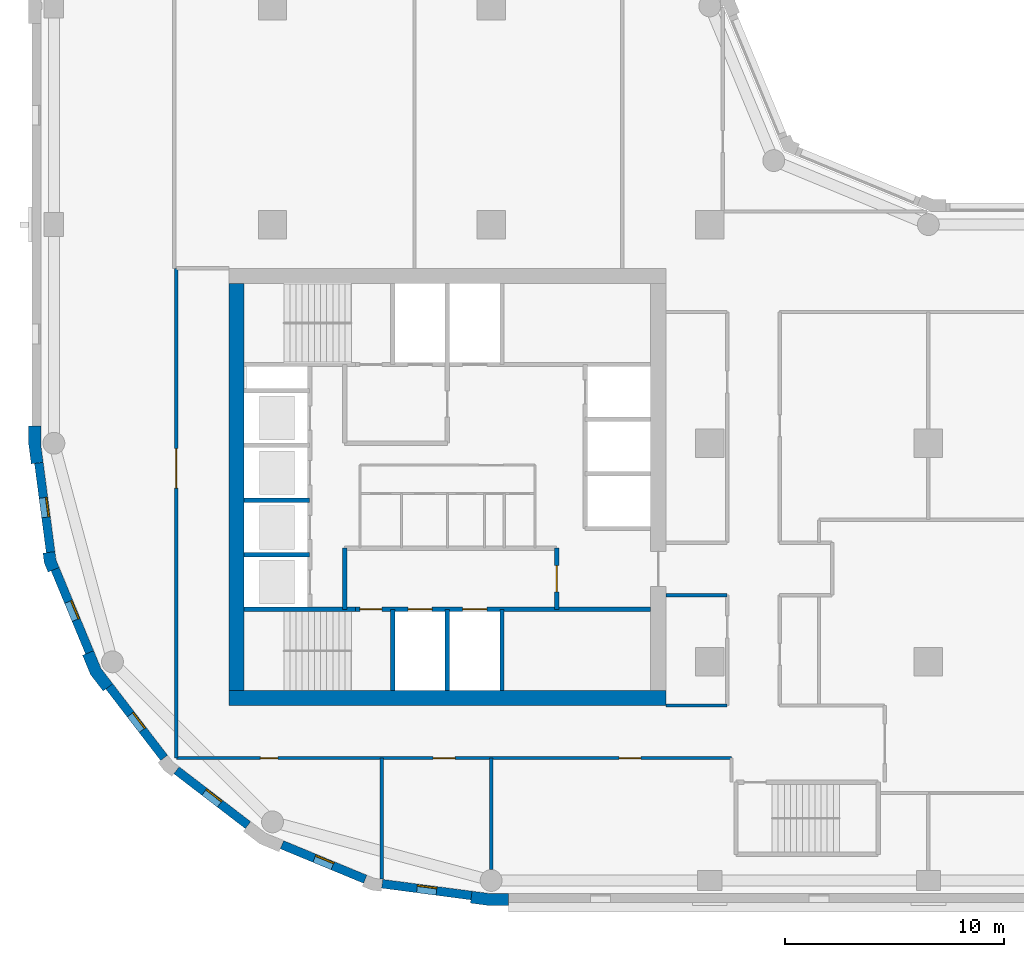
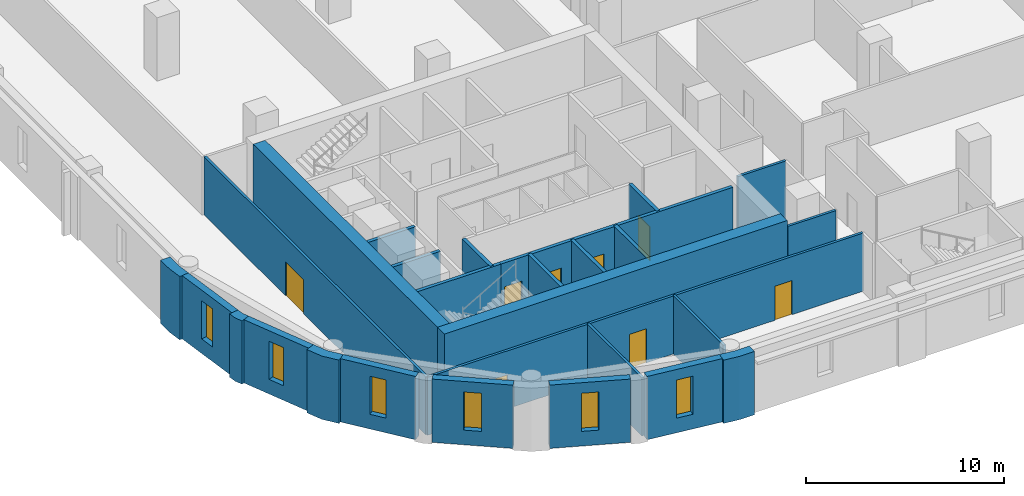
# One storey, part 2 of 9: 27 walls, 8 doors, 6 windows, 14 openings.
"""IFC4 building model written with IfcOpenShell, lengths in metres."""

from ifc_helpers import new_model, si_unit, direction, frame, frame_2d, origin, place, context, subcontext, project, spatial, polyline, rectangle, outline, extrude, material, layer, layer_set, type_object, element, fill, save


model = new_model("IFC4")

# Units and contexts
model_context = context("Model", 3, precision=1e-05, world=origin(), true_north=direction((0.0, 1.0)))
body_context = subcontext(model_context, "Body", "Model", "MODEL_VIEW")
ifc_project = project(units=[si_unit("LENGTHUNIT", "METRE"), si_unit("AREAUNIT", "SQUARE_METRE"), si_unit("VOLUMEUNIT", "CUBIC_METRE"), si_unit("PLANEANGLEUNIT", "RADIAN"), si_unit("MASSUNIT", "GRAM", prefix="KILO")], contexts=[model_context])

# Site, building, storey
site_placement = place(None, origin())
site = spatial("IfcSite", under=ifc_project, at=site_placement, CompositionType="ELEMENT")
building_placement = place(site_placement, origin())
building = spatial("IfcBuilding", under=site, at=building_placement, Name="Qaws Garden Tower", CompositionType="ELEMENT")
storey_placement = place(building_placement, frame((0.0, 0.0, 147.300048828125)))
storey = spatial("IfcBuildingStorey", under=building, at=storey_placement, Name="L35", CompositionType="ELEMENT", Elevation=147.300048828125)

# Wall, opening, window
ifc_material_1 = material(Name="Clay facing brick masonry", Category="masonry")
ifc_layer_1 = layer(ifc_material_1, 0.39990234375)
ifc_layer_set_1 = layer_set([ifc_layer_1], Name="Clay facing brick masonry")
wall_type_1 = type_object("IfcWallType", Name="Brick infill wall 400", PredefinedType="SOLIDWALL", material=ifc_layer_set_1)
wall_1_placement = place(storey_placement, frame((-0.688720703125, 19.102294921875, 0.0), z_axis=(0.0, 0.0, 1.0), x_axis=(0.130514280502, -0.991446429508, 0.0)))
wall_1 = element("IfcWall", 1, at=wall_1_placement, inside=storey, type_object=wall_type_1, Name="E-L35-infill-25", PredefinedType="SOLIDWALL", context=body_context, shape_type="SweptSolid", body=[
    extrude(rectangle(XDim=4.120849609375, YDim=0.39990234375, at=frame_2d((2.060546875, 0.0))), origin(), (0.0, 0.0, 1.0), 3.89990234375),
])
opening_1_placement = place(wall_1_placement, frame((1.610595703125, 0.0, 0.89990234375)))
opening_1 = element("IfcOpeningElement", 2, at=opening_1_placement, cuts=wall_1, Name="Opening W09", PredefinedType="OPENING", context=body_context, shape_type="SweptSolid", body=[
    extrude(rectangle(XDim=0.89990234375, YDim=2.35009765625, at=frame_2d((0.449951171875, 1.175048828125))), frame((0.0, 0.2099609375, 0.0), z_axis=(0.0, -1.0, 0.0), x_axis=(1.0, 0.0, 0.0)), (0.0, 0.0, 1.0), 0.419921875),
])
ifc_material_2 = material(Name="Aluminium framed window, clear glazing", Category="aluminium")
window_type = type_object("IfcWindowType", Name="Slit window 900 x 2350", PartitioningType="SINGLE_PANEL", PredefinedType="WINDOW", material=ifc_material_2)
window_1_placement = place(opening_1_placement, origin())
window_1 = element("IfcWindow", 3, at=window_1_placement, inside=storey, type_object=window_type, Name="E-L35-window-25-0", OverallHeight=2.35009765625, OverallWidth=0.89990234375, PartitioningType="SINGLE_PANEL", PredefinedType="WINDOW", context=body_context, shape_type="SweptSolid", body=[
    extrude(rectangle(XDim=0.89990234375, YDim=2.35009765625, at=frame_2d((0.449951171875, 1.175048828125))), frame((0.0, 0.159912109375, 0.0), z_axis=(0.0, -1.0, 0.0), x_axis=(1.0, 0.0, 0.0)), (0.0, 0.0, 1.0), 0.06005859375),
])
fill(opening_1, window_1)

wall_2_placement = place(storey_placement, frame((0.05712890625, 14.240234375, 0.0), z_axis=(0.0, 0.0, 1.0), x_axis=(0.382721546029, -0.923863744394, 0.0)))
wall_2 = element("IfcWall", 4, at=wall_2_placement, inside=storey, type_object=wall_type_1, Name="E-L35-infill-26", PredefinedType="SOLIDWALL", context=body_context, shape_type="SweptSolid", body=[
    extrude(rectangle(XDim=4.120849609375, YDim=0.39990234375, at=frame_2d((2.060546875, 0.0))), origin(), (0.0, 0.0, 1.0), 3.89990234375),
])
opening_2_placement = place(wall_2_placement, frame((1.610595703125, 0.0, 0.89990234375)))
opening_2 = element("IfcOpeningElement", 5, at=opening_2_placement, cuts=wall_2, Name="Opening W09", PredefinedType="OPENING", context=body_context, shape_type="SweptSolid", body=[
    extrude(rectangle(XDim=0.89990234375, YDim=2.35009765625, at=frame_2d((0.449951171875, 1.175048828125))), frame((0.0, 0.2099609375, 0.0), z_axis=(0.0, -1.0, 0.0), x_axis=(1.0, 0.0, 0.0)), (0.0, 0.0, 1.0), 0.419921875),
])
window_2_placement = place(opening_2_placement, origin())
window_2 = element("IfcWindow", 6, at=window_2_placement, inside=storey, type_object=window_type, Name="E-L35-window-26-0", OverallHeight=2.35009765625, OverallWidth=0.89990234375, PartitioningType="SINGLE_PANEL", PredefinedType="WINDOW", context=body_context, shape_type="SweptSolid", body=[
    extrude(rectangle(XDim=0.89990234375, YDim=2.35009765625, at=frame_2d((0.449951171875, 1.175048828125))), frame((0.0, 0.159912109375, 0.0), z_axis=(0.0, -1.0, 0.0), x_axis=(1.0, 0.0, 0.0)), (0.0, 0.0, 1.0), 0.06005859375),
])
fill(opening_2, window_2)

wall_3_placement = place(storey_placement, frame((2.53173828125, 8.87841796875, 0.0), z_axis=(0.0, 0.0, 1.0), x_axis=(0.608759824817, -0.793354571229, 0.0)))
wall_3 = element("IfcWall", 7, at=wall_3_placement, inside=storey, type_object=wall_type_1, Name="E-L35-infill-27", PredefinedType="SOLIDWALL", context=body_context, shape_type="SweptSolid", body=[
    extrude(rectangle(XDim=4.12109375, YDim=0.39990234375, at=frame_2d((2.060546875, 0.0))), origin(), (0.0, 0.0, 1.0), 3.89990234375),
])
opening_3_placement = place(wall_3_placement, frame((1.610595703125, 0.0, 0.89990234375)))
opening_3 = element("IfcOpeningElement", 8, at=opening_3_placement, cuts=wall_3, Name="Opening W09", PredefinedType="OPENING", context=body_context, shape_type="SweptSolid", body=[
    extrude(rectangle(XDim=0.89990234375, YDim=2.35009765625, at=frame_2d((0.449951171875, 1.175048828125))), frame((0.0, 0.2099609375, 0.0), z_axis=(0.0, -1.0, 0.0), x_axis=(1.0, 0.0, 0.0)), (0.0, 0.0, 1.0), 0.419921875),
])
window_3_placement = place(opening_3_placement, origin())
window_3 = element("IfcWindow", 9, at=window_3_placement, inside=storey, type_object=window_type, Name="E-L35-window-27-0", OverallHeight=2.35009765625, OverallWidth=0.89990234375, PartitioningType="SINGLE_PANEL", PredefinedType="WINDOW", context=body_context, shape_type="SweptSolid", body=[
    extrude(rectangle(XDim=0.89990234375, YDim=2.35009765625, at=frame_2d((0.449951171875, 1.175048828125))), frame((0.0, 0.159912109375, 0.0), z_axis=(0.0, -1.0, 0.0), x_axis=(1.0, 0.0, 0.0)), (0.0, 0.0, 1.0), 0.06005859375),
])
fill(opening_3, window_3)

wall_4_placement = place(storey_placement, frame((5.60888671875, 5.04052734375, 0.0), z_axis=(0.0, 0.0, 1.0), x_axis=(0.793354571229, -0.608759824817, 0.0)))
wall_4 = element("IfcWall", 10, at=wall_4_placement, inside=storey, type_object=wall_type_1, Name="E-L35-infill-28", PredefinedType="SOLIDWALL", context=body_context, shape_type="SweptSolid", body=[
    extrude(rectangle(XDim=4.12109375, YDim=0.39990234375, at=frame_2d((2.060546875, 0.0))), origin(), (0.0, 0.0, 1.0), 3.89990234375),
])
opening_4_placement = place(wall_4_placement, frame((1.610595703125, 0.0, 0.89990234375)))
opening_4 = element("IfcOpeningElement", 11, at=opening_4_placement, cuts=wall_4, Name="Opening W09", PredefinedType="OPENING", context=body_context, shape_type="SweptSolid", body=[
    extrude(rectangle(XDim=0.89990234375, YDim=2.35009765625, at=frame_2d((0.449951171875, 1.175048828125))), frame((0.0, 0.2099609375, 0.0), z_axis=(0.0, -1.0, 0.0), x_axis=(1.0, 0.0, 0.0)), (0.0, 0.0, 1.0), 0.419921875),
])
window_4_placement = place(opening_4_placement, origin())
window_4 = element("IfcWindow", 12, at=window_4_placement, inside=storey, type_object=window_type, Name="E-L35-window-28-0", OverallHeight=2.35009765625, OverallWidth=0.89990234375, PartitioningType="SINGLE_PANEL", PredefinedType="WINDOW", context=body_context, shape_type="SweptSolid", body=[
    extrude(rectangle(XDim=0.89990234375, YDim=2.35009765625, at=frame_2d((0.449951171875, 1.175048828125))), frame((0.0, 0.159912109375, 0.0), z_axis=(0.0, -1.0, 0.0), x_axis=(1.0, 0.0, 0.0)), (0.0, 0.0, 1.0), 0.06005859375),
])
fill(opening_4, window_4)

wall_5_placement = place(storey_placement, frame((10.43310546875, 1.63427734375, 0.0), z_axis=(0.0, 0.0, 1.0), x_axis=(0.923863744394, -0.382721546029, 0.0)))
wall_5 = element("IfcWall", 13, at=wall_5_placement, inside=storey, type_object=wall_type_1, Name="E-L35-infill-29", PredefinedType="SOLIDWALL", context=body_context, shape_type="SweptSolid", body=[
    extrude(rectangle(XDim=4.120849609375, YDim=0.39990234375, at=frame_2d((2.060546875, 0.0))), origin(), (0.0, 0.0, 1.0), 3.89990234375),
])
opening_5_placement = place(wall_5_placement, frame((1.610595703125, 0.0, 0.89990234375)))
opening_5 = element("IfcOpeningElement", 14, at=opening_5_placement, cuts=wall_5, Name="Opening W09", PredefinedType="OPENING", context=body_context, shape_type="SweptSolid", body=[
    extrude(rectangle(XDim=0.89990234375, YDim=2.35009765625, at=frame_2d((0.449951171875, 1.175048828125))), frame((0.0, 0.2099609375, 0.0), z_axis=(0.0, -1.0, 0.0), x_axis=(1.0, 0.0, 0.0)), (0.0, 0.0, 1.0), 0.419921875),
])
window_5_placement = place(opening_5_placement, origin())
window_5 = element("IfcWindow", 15, at=window_5_placement, inside=storey, type_object=window_type, Name="E-L35-window-29-0", OverallHeight=2.35009765625, OverallWidth=0.89990234375, PartitioningType="SINGLE_PANEL", PredefinedType="WINDOW", context=body_context, shape_type="SweptSolid", body=[
    extrude(rectangle(XDim=0.89990234375, YDim=2.35009765625, at=frame_2d((0.449951171875, 1.175048828125))), frame((0.0, 0.159912109375, 0.0), z_axis=(0.0, -1.0, 0.0), x_axis=(1.0, 0.0, 0.0)), (0.0, 0.0, 1.0), 0.06005859375),
])
fill(opening_5, window_5)

wall_6_placement = place(storey_placement, frame((15.0166015625, -0.15087890625, 0.0), z_axis=(0.0, 0.0, 1.0), x_axis=(0.991446429508, -0.130514280502, 0.0)))
wall_6 = element("IfcWall", 16, at=wall_6_placement, inside=storey, type_object=wall_type_1, Name="E-L35-infill-30", PredefinedType="SOLIDWALL", context=body_context, shape_type="SweptSolid", body=[
    extrude(rectangle(XDim=4.120849609375, YDim=0.39990234375, at=frame_2d((2.060546875, 0.0))), origin(), (0.0, 0.0, 1.0), 3.89990234375),
])
opening_6_placement = place(wall_6_placement, frame((1.610595703125, 0.0, 0.89990234375)))
opening_6 = element("IfcOpeningElement", 17, at=opening_6_placement, cuts=wall_6, Name="Opening W09", PredefinedType="OPENING", context=body_context, shape_type="SweptSolid", body=[
    extrude(rectangle(XDim=0.89990234375, YDim=2.35009765625, at=frame_2d((0.449951171875, 1.175048828125))), frame((0.0, 0.2099609375, 0.0), z_axis=(0.0, -1.0, 0.0), x_axis=(1.0, 0.0, 0.0)), (0.0, 0.0, 1.0), 0.419921875),
])
window_6_placement = place(opening_6_placement, origin())
window_6 = element("IfcWindow", 18, at=window_6_placement, inside=storey, type_object=window_type, Name="E-L35-window-30-0", OverallHeight=2.35009765625, OverallWidth=0.89990234375, PartitioningType="SINGLE_PANEL", PredefinedType="WINDOW", context=body_context, shape_type="SweptSolid", body=[
    extrude(rectangle(XDim=0.89990234375, YDim=2.35009765625, at=frame_2d((0.449951171875, 1.175048828125))), frame((0.0, 0.159912109375, 0.0), z_axis=(0.0, -1.0, 0.0), x_axis=(1.0, 0.0, 0.0)), (0.0, 0.0, 1.0), 0.06005859375),
])
fill(opening_6, window_6)

# Walls
ifc_material_3 = material(Name="Clay facing brick masonry", Category="masonry")
ifc_layer_2 = layer(ifc_material_3, 0.550048828125)
ifc_layer_set_2 = layer_set([ifc_layer_2], Name="Clay facing brick masonry")
wall_type_2 = type_object("IfcWallType", Name="Brick kink pier 550 x 600", PredefinedType="SOLIDWALL", material=ifc_layer_set_2)
placement = place(storey_placement, origin())
element("IfcWall", 19, at=placement, inside=storey, type_object=wall_type_2, Name="E-L35-pier-26", PredefinedType="SOLIDWALL", context=body_context, shape_type="SweptSolid", body=[
    extrude(outline(polyline([(-0.34912109375, 14.990478515625), (-0.497802734375, 14.970947265625), (-0.43896484375, 14.5234375), (-0.26611328125, 14.1064453125), (-0.127685546875, 14.163818359375), (0.241943359375, 14.31689453125), (0.096923828125, 14.6669921875), (0.04736328125, 15.042724609375), (-0.34912109375, 14.990478515625)])), origin(), (0.0, 0.0, 1.0), 3.89990234375),
])
ifc_material_4 = material(Name="Clay facing brick masonry", Category="masonry")
ifc_layer_3 = layer(ifc_material_4, 0.550048828125)
ifc_layer_set_3 = layer_set([ifc_layer_3], Name="Clay facing brick masonry")
wall_type_3 = type_object("IfcWallType", Name="Brick pier 550 x 1600", PredefinedType="SOLIDWALL", material=ifc_layer_set_3)
element("IfcWall", 20, at=placement, inside=storey, type_object=wall_type_3, Name="E-L35-pier-00", PredefinedType="SOLIDWALL", context=body_context, shape_type="SweptSolid", body=[
    extrude(outline(polyline([(19.076416015625, -0.886962890625), (19.056640625, -1.03564453125), (19.924560546875, -1.14990234375), (20.800048828125, -1.14990234375), (20.800048828125, -1.0), (20.800048828125, -0.60009765625), (19.960693359375, -0.60009765625), (19.12841796875, -0.490478515625), (19.076416015625, -0.886962890625)])), origin(), (0.0, 0.0, 1.0), 3.89990234375),
])
element("IfcWall", 21, at=placement, inside=storey, type_object=wall_type_3, Name="E-L35-pier-25", PredefinedType="SOLIDWALL", context=body_context, shape_type="SweptSolid", body=[
    extrude(outline(polyline([(-1.0, 20.800048828125), (-1.14990234375, 20.800048828125), (-1.14990234375, 19.924560546875), (-1.03564453125, 19.056640625), (-0.886962890625, 19.076416015625), (-0.490478515625, 19.12841796875), (-0.60009765625, 19.960693359375), (-0.60009765625, 20.800048828125), (-1.0, 20.800048828125)])), origin(), (0.0, 0.0, 1.0), 3.89990234375),
])
element("IfcWall", 22, at=placement, inside=storey, type_object=wall_type_3, Name="E-L35-pier-27", PredefinedType="SOLIDWALL", context=body_context, shape_type="SweptSolid", body=[
    extrude(outline(polyline([(1.449462890625, 10.3564453125), (1.310791015625, 10.299072265625), (1.675048828125, 9.419921875), (2.254150390625, 8.665283203125), (2.373046875, 8.756591796875), (2.6904296875, 9.0), (2.1552734375, 9.697509765625), (1.819091796875, 10.509521484375), (1.449462890625, 10.3564453125)])), origin(), (0.0, 0.0, 1.0), 3.89990234375),
])
ifc_material_5 = material(Name="Concrete C70", Category="concrete")
ifc_layer_4 = layer(ifc_material_5, 0.199951171875)
ifc_layer_set_4 = layer_set([ifc_layer_4], Name="Concrete C70")
wall_type_4 = type_object("IfcWallType", Name="Core shaft wall 200 C70", PredefinedType="SHEAR", material=ifc_layer_set_4)
wall_11_placement = place(storey_placement, frame((8.699951171875, 12.39990234375, 0.0), z_axis=(0.0, 0.0, 1.0), x_axis=(1.0, 0.0, 0.0)))
element("IfcWall", 23, at=wall_11_placement, inside=storey, type_object=wall_type_4, Name="Shaft wall", PredefinedType="SHEAR", context=body_context, shape_type="SweptSolid", body=[
    extrude(rectangle(XDim=5.10009765625, YDim=0.199951171875, at=frame_2d((2.550048828125, 0.0))), origin(), (0.0, 0.0, 1.0), 3.579833984375),
])

# Wall, openings, doors
wall_12_placement = place(storey_placement, frame((13.800048828125, 12.39990234375, 0.0), z_axis=(0.0, 0.0, 1.0), x_axis=(1.0, 0.0, 0.0)))
wall_12 = element("IfcWall", 24, at=wall_12_placement, inside=storey, type_object=wall_type_4, Name="Shaft wall", PredefinedType="SHEAR", context=body_context, shape_type="SweptSolid", body=[
    extrude(rectangle(XDim=13.5, YDim=0.199951171875, at=frame_2d((6.75, 0.0))), origin(), (0.0, 0.0, 1.0), 3.579833984375),
])
opening_7_placement = place(wall_12_placement, frame((2.39990234375, 0.0, 0.0)))
opening_7 = element("IfcOpeningElement", 25, at=opening_7_placement, cuts=wall_12, Name="Opening LD06", PredefinedType="OPENING", context=body_context, shape_type="SweptSolid", body=[
    extrude(rectangle(XDim=1.10009765625, YDim=2.10009765625, at=frame_2d((0.550048828125, 1.050048828125))), frame((0.0, 0.10986328125, 0.0), z_axis=(0.0, -1.0, 0.0), x_axis=(1.0, 0.0, 0.0)), (0.0, 0.0, 1.0), 0.219970703125),
])
opening_8_placement = place(wall_12_placement, frame((4.89990234375, 0.0, 0.0)))
opening_8 = element("IfcOpeningElement", 26, at=opening_8_placement, cuts=wall_12, Name="Opening LD07", PredefinedType="OPENING", context=body_context, shape_type="SweptSolid", body=[
    extrude(rectangle(XDim=1.10009765625, YDim=2.10009765625, at=frame_2d((0.550048828125, 1.050048828125))), frame((0.0, 0.10986328125, 0.0), z_axis=(0.0, -1.0, 0.0), x_axis=(1.0, 0.0, 0.0)), (0.0, 0.0, 1.0), 0.219970703125),
])
opening_9_placement = place(wall_12_placement, frame((0.199951171875, 0.0, 0.0)))
opening_9 = element("IfcOpeningElement", 27, at=opening_9_placement, cuts=wall_12, Name="Opening SD10", PredefinedType="OPENING", context=body_context, shape_type="SweptSolid", body=[
    extrude(rectangle(XDim=1.0, YDim=2.10009765625, at=frame_2d((0.5, 1.050048828125))), frame((0.0, 0.10986328125, 0.0), z_axis=(0.0, -1.0, 0.0), x_axis=(1.0, 0.0, 0.0)), (0.0, 0.0, 1.0), 0.219970703125),
])
ifc_material_6 = material(Name="Steel S235", Category="steel")
door_type_1 = type_object("IfcDoorType", Name="Landing door 1100x2100", OperationType="DOUBLE_DOOR_SLIDING", PredefinedType="DOOR", material=ifc_material_6)
door_1_placement = place(opening_7_placement, origin())
door_1 = element("IfcDoor", 28, at=door_1_placement, inside=storey, type_object=door_type_1, Name="Lift FF1 landing door", OperationType="DOUBLE_DOOR_SLIDING", OverallHeight=2.10009765625, OverallWidth=1.10009765625, PredefinedType="DOOR", context=body_context, shape_type="SweptSolid", body=[
    extrude(rectangle(XDim=1.10009765625, YDim=2.10009765625, at=frame_2d((0.550048828125, 1.050048828125))), frame((0.0, 0.02490234375, 0.0), z_axis=(0.0, -1.0, 0.0), x_axis=(1.0, 0.0, 0.0)), (0.0, 0.0, 1.0), 0.050048828125),
])
fill(opening_7, door_1)
door_2_placement = place(opening_8_placement, origin())
door_2 = element("IfcDoor", 29, at=door_2_placement, inside=storey, type_object=door_type_1, Name="Lift FF2 landing door", OperationType="DOUBLE_DOOR_SLIDING", OverallHeight=2.10009765625, OverallWidth=1.10009765625, PredefinedType="DOOR", context=body_context, shape_type="SweptSolid", body=[
    extrude(rectangle(XDim=1.10009765625, YDim=2.10009765625, at=frame_2d((0.550048828125, 1.050048828125))), frame((0.0, 0.02490234375, 0.0), z_axis=(0.0, -1.0, 0.0), x_axis=(1.0, 0.0, 0.0)), (0.0, 0.0, 1.0), 0.050048828125),
])
fill(opening_8, door_2)
ifc_material_7 = material(Name="Steel S235", Category="steel")
door_type_2 = type_object("IfcDoorType", Name="Stair door 1000x2100", OperationType="SINGLE_SWING_RIGHT", PredefinedType="DOOR", material=ifc_material_7)
door_3_placement = place(opening_9_placement, frame((1.0, 0.0, 0.0), z_axis=(0.0, 0.0, 1.0), x_axis=(-1.0, 0.0, 0.0)))
door_3 = element("IfcDoor", 30, at=door_3_placement, inside=storey, type_object=door_type_2, Name="Stair 1 door", OperationType="SINGLE_SWING_LEFT", OverallHeight=2.10009765625, OverallWidth=1.0, PredefinedType="DOOR", context=body_context, shape_type="SweptSolid", body=[
    extrude(rectangle(XDim=1.0, YDim=2.10009765625, at=frame_2d((0.5, 1.050048828125))), frame((0.0, 0.02490234375, 0.0), z_axis=(0.0, -1.0, 0.0), x_axis=(1.0, 0.0, 0.0)), (0.0, 0.0, 1.0), 0.050048828125),
])
fill(opening_9, door_3)

# Walls
for number, where, z_axis, x_axis, name in (
    (31, (8.699951171875, 14.89990234375, 0.0), (0.0, 0.0, 1.0), (1.0, 0.0, 0.0), "Shaft wall"),
    (32, (8.699951171875, 17.39990234375, 0.0), (0.0, 0.0, 1.0), (1.0, 0.0, 0.0), "Shaft wall"),
):
    element("IfcWall", number, at=place(storey_placement, frame(where, z_axis=z_axis, x_axis=x_axis)), inside=storey, type_object=wall_type_4, Name=name, PredefinedType="SHEAR", context=body_context, shape_type="SweptSolid", body=[
        extrude(rectangle(XDim=3.0, YDim=0.199951171875, at=frame_2d((1.5, 0.0))), origin(), (0.0, 0.0, 1.0), 3.579833984375),
    ])
wall_13_placement = place(storey_placement, frame((13.300048828125, 12.39990234375, 0.0), z_axis=(0.0, 0.0, 1.0), x_axis=(0.0, 1.0, 0.0)))
element("IfcWall", 33, at=wall_13_placement, inside=storey, type_object=wall_type_4, Name="Shaft wall", PredefinedType="SHEAR", context=body_context, shape_type="SweptSolid", body=[
    extrude(rectangle(XDim=2.800048828125, YDim=0.199951171875, at=frame_2d((1.39990234375, 0.0))), origin(), (0.0, 0.0, 1.0), 3.579833984375),
])
for number, where, z_axis, x_axis, name in (
    (34, (15.5, 8.699951171875, 0.0), (0.0, 0.0, 1.0), (0.0, 1.0, 0.0), "Shaft wall"),
    (35, (18.0, 8.699951171875, 0.0), (0.0, 0.0, 1.0), (0.0, 1.0, 0.0), "Shaft wall"),
    (36, (20.5, 8.699951171875, 0.0), (0.0, 0.0, 1.0), (0.0, 1.0, 0.0), "Shaft wall"),
):
    element("IfcWall", number, at=place(storey_placement, frame(where, z_axis=z_axis, x_axis=x_axis)), inside=storey, type_object=wall_type_4, Name=name, PredefinedType="SHEAR", context=body_context, shape_type="SweptSolid", body=[
        extrude(rectangle(XDim=3.699951171875, YDim=0.199951171875, at=frame_2d((1.85009765625, 0.0))), origin(), (0.0, 0.0, 1.0), 3.579833984375),
    ])

# Wall, opening, door
wall_14_placement = place(storey_placement, frame((23.0, 12.39990234375, 0.0), z_axis=(0.0, 0.0, 1.0), x_axis=(0.0, 1.0, 0.0)))
wall_14 = element("IfcWall", 37, at=wall_14_placement, inside=storey, type_object=wall_type_4, Name="Shaft wall", PredefinedType="SHEAR", context=body_context, shape_type="SweptSolid", body=[
    extrude(rectangle(XDim=2.800048828125, YDim=0.199951171875, at=frame_2d((1.39990234375, 0.0))), origin(), (0.0, 0.0, 1.0), 3.579833984375),
])
opening_10_placement = place(wall_14_placement, frame((0.800048828125, 0.0, 0.0)))
opening_10 = element("IfcOpeningElement", 38, at=opening_10_placement, cuts=wall_14, Name="Opening FD15", PredefinedType="OPENING", context=body_context, shape_type="SweptSolid", body=[
    extrude(rectangle(XDim=1.199951171875, YDim=2.10009765625, at=frame_2d((0.60009765625, 1.050048828125))), frame((0.0, 0.10986328125, 0.0), z_axis=(0.0, -1.0, 0.0), x_axis=(1.0, 0.0, 0.0)), (0.0, 0.0, 1.0), 0.219970703125),
])
ifc_material_8 = material(Name="Steel S235", Category="steel")
door_type_3 = type_object("IfcDoorType", Name="Lobby door 1200x2100", OperationType="DOUBLE_DOOR_SINGLE_SWING", PredefinedType="DOOR", material=ifc_material_8)
door_4_placement = place(opening_10_placement, origin())
door_4 = element("IfcDoor", 39, at=door_4_placement, inside=storey, type_object=door_type_3, Name="Fire-fighting lobby door", OperationType="DOUBLE_DOOR_SINGLE_SWING", OverallHeight=2.10009765625, OverallWidth=1.199951171875, PredefinedType="DOOR", context=body_context, shape_type="SweptSolid", body=[
    extrude(rectangle(XDim=1.199951171875, YDim=2.10009765625, at=frame_2d((0.60009765625, 1.050048828125))), frame((0.0, 0.02490234375, 0.0), z_axis=(0.0, -1.0, 0.0), x_axis=(1.0, 0.0, 0.0)), (0.0, 0.0, 1.0), 0.050048828125),
])
fill(opening_10, door_4)

# Walls
ifc_material_9 = material(Name="Concrete C70", Category="concrete")
ifc_layer_5 = layer(ifc_material_9, 0.699951171875)
ifc_layer_set_5 = layer_set([ifc_layer_5], Name="Concrete C70")
wall_type_5 = type_object("IfcWallType", Name="Core wall 700 C70", PredefinedType="SHEAR", material=ifc_layer_set_5)
wall_15_placement = place(storey_placement, frame((8.0, 8.35009765625, 0.0), z_axis=(0.0, 0.0, 1.0), x_axis=(1.0, 0.0, 0.0)))
element("IfcWall", 40, at=wall_15_placement, inside=storey, type_object=wall_type_5, Name="Core wall L35 south", PredefinedType="SHEAR", context=body_context, shape_type="SweptSolid", body=[
    extrude(rectangle(XDim=20.0, YDim=0.699951171875, at=frame_2d((10.0, 0.0))), origin(), (0.0, 0.0, 1.0), 3.89990234375),
])
wall_16_placement = place(storey_placement, frame((8.35009765625, 27.300048828125, 0.0), z_axis=(0.0, 0.0, 1.0), x_axis=(0.0, -1.0, 0.0)))
element("IfcWall", 41, at=wall_16_placement, inside=storey, type_object=wall_type_5, Name="Core wall L35 west", PredefinedType="SHEAR", context=body_context, shape_type="SweptSolid", body=[
    extrude(rectangle(XDim=18.60009765625, YDim=0.699951171875, at=frame_2d((9.300048828125, 0.0))), origin(), (0.0, 0.0, 1.0), 3.89990234375),
])

# Wall, opening, door
ifc_material_10 = material(Name="Gypsum board partition")
ifc_layer_6 = layer(ifc_material_10, 0.14990234375)
ifc_layer_set_6 = layer_set([ifc_layer_6], Name="Gypsum board partition")
wall_type_6 = type_object("IfcWallType", Name="PARTITION 150 EI 60", PredefinedType="PARTITIONING", material=ifc_layer_set_6)
wall_17_placement = place(storey_placement, frame((5.60009765625, 5.60009765625, 0.0), z_axis=(0.0, 0.0, 1.0), x_axis=(0.0, 1.0, 0.0)))
wall_17 = element("IfcWall", 42, at=wall_17_placement, inside=storey, type_object=wall_type_6, Name="O-L35-wall-005", PredefinedType="PARTITIONING", context=body_context, shape_type="SweptSolid", body=[
    extrude(rectangle(XDim=22.39990234375, YDim=0.14990234375, at=frame_2d((11.199951171875, 0.0))), origin(), (0.0, 0.0, 1.0), 3.579833984375),
])
opening_11_placement = place(wall_17_placement, frame((12.35009765625, 0.0, 0.0)))
opening_11 = element("IfcOpeningElement", 43, at=opening_11_placement, cuts=wall_17, Name="Opening B206", PredefinedType="OPENING", context=body_context, shape_type="SweptSolid", body=[
    extrude(rectangle(XDim=1.800048828125, YDim=2.10009765625, at=frame_2d((0.89990234375, 1.050048828125))), frame((0.0, 0.0849609375, 0.0), z_axis=(0.0, -1.0, 0.0), x_axis=(1.0, 0.0, 0.0)), (0.0, 0.0, 1.0), 0.169921875),
])
ifc_material_11 = material(Name="Timber door leaf", Category="wood")
door_type_4 = type_object("IfcDoorType", Name="DOUBLE DOOR 1800 X 2100", OperationType="DOUBLE_DOOR_SINGLE_SWING", PredefinedType="DOOR", material=ifc_material_11)
door_5_placement = place(opening_11_placement, origin())
door_5 = element("IfcDoor", 44, at=door_5_placement, inside=storey, type_object=door_type_4, Name="O-L35-door-006", OperationType="DOUBLE_DOOR_SINGLE_SWING", OverallHeight=2.10009765625, OverallWidth=1.800048828125, PredefinedType="DOOR", context=body_context, shape_type="SweptSolid", body=[
    extrude(rectangle(XDim=1.800048828125, YDim=2.10009765625, at=frame_2d((0.89990234375, 1.050048828125))), frame((0.0, 0.02490234375, 0.0), z_axis=(0.0, -1.0, 0.0), x_axis=(1.0, 0.0, 0.0)), (0.0, 0.0, 1.0), 0.050048828125),
])
fill(opening_11, door_5)

# Walls
wall_18_placement = place(storey_placement, frame((15.0, 0.06298828125, 0.0), z_axis=(0.0, 0.0, 1.0), x_axis=(0.0, 1.0, 0.0)))
element("IfcWall", 45, at=wall_18_placement, inside=storey, type_object=wall_type_6, Name="O-L35-wall-008", PredefinedType="PARTITIONING", context=body_context, shape_type="SweptSolid", body=[
    extrude(rectangle(XDim=5.537109375, YDim=0.14990234375, at=frame_2d((2.7685546875, 0.0))), origin(), (0.0, 0.0, 1.0), 3.579833984375),
])
wall_19_placement = place(storey_placement, frame((20.0, 0.5, 0.0), z_axis=(0.0, 0.0, 1.0), x_axis=(0.0, 1.0, 0.0)))
element("IfcWall", 46, at=wall_19_placement, inside=storey, type_object=wall_type_6, Name="O-L35-wall-011", PredefinedType="PARTITIONING", context=body_context, shape_type="SweptSolid", body=[
    extrude(rectangle(XDim=5.10009765625, YDim=0.14990234375, at=frame_2d((2.550048828125, 0.0))), origin(), (0.0, 0.0, 1.0), 3.579833984375),
])

# Wall, openings, doors
wall_20_placement = place(storey_placement, frame((5.60009765625, 5.60009765625, 0.0), z_axis=(0.0, 0.0, 1.0), x_axis=(1.0, 0.0, 0.0)))
wall_20 = element("IfcWall", 47, at=wall_20_placement, inside=storey, type_object=wall_type_6, Name="O-L35-wall-033", PredefinedType="PARTITIONING", context=body_context, shape_type="SweptSolid", body=[
    extrude(rectangle(XDim=25.39990234375, YDim=0.14990234375, at=frame_2d((12.699951171875, 0.0))), origin(), (0.0, 0.0, 1.0), 3.579833984375),
])
opening_12_placement = place(wall_20_placement, frame((3.85009765625, 0.0, 0.0)))
opening_12 = element("IfcOpeningElement", 48, at=opening_12_placement, cuts=wall_20, Name="Opening B201", PredefinedType="OPENING", context=body_context, shape_type="SweptSolid", body=[
    extrude(rectangle(XDim=0.800048828125, YDim=2.10009765625, at=frame_2d((0.39990234375, 1.050048828125))), frame((0.0, 0.0849609375, 0.0), z_axis=(0.0, -1.0, 0.0), x_axis=(1.0, 0.0, 0.0)), (0.0, 0.0, 1.0), 0.169921875),
])
opening_13_placement = place(wall_20_placement, frame((11.75, 0.0, 0.0)))
opening_13 = element("IfcOpeningElement", 49, at=opening_13_placement, cuts=wall_20, Name="Opening B202", PredefinedType="OPENING", context=body_context, shape_type="SweptSolid", body=[
    extrude(rectangle(XDim=1.0, YDim=2.10009765625, at=frame_2d((0.5, 1.050048828125))), frame((0.0, 0.0849609375, 0.0), z_axis=(0.0, -1.0, 0.0), x_axis=(1.0, 0.0, 0.0)), (0.0, 0.0, 1.0), 0.169921875),
])
opening_14_placement = place(wall_20_placement, frame((20.25, 0.0, 0.0)))
opening_14 = element("IfcOpeningElement", 50, at=opening_14_placement, cuts=wall_20, Name="Opening B211", PredefinedType="OPENING", context=body_context, shape_type="SweptSolid", body=[
    extrude(rectangle(XDim=1.0, YDim=2.10009765625, at=frame_2d((0.5, 1.050048828125))), frame((0.0, 0.0849609375, 0.0), z_axis=(0.0, -1.0, 0.0), x_axis=(1.0, 0.0, 0.0)), (0.0, 0.0, 1.0), 0.169921875),
])
ifc_material_12 = material(Name="Timber door leaf", Category="wood")
door_type_5 = type_object("IfcDoorType", Name="STORE DOOR 800 X 2100", OperationType="SINGLE_SWING_LEFT", PredefinedType="DOOR", material=ifc_material_12)
door_6_placement = place(opening_12_placement, frame((0.800048828125, 0.0, 0.0), z_axis=(0.0, 0.0, 1.0), x_axis=(-1.0, 0.0, 0.0)))
door_6 = element("IfcDoor", 51, at=door_6_placement, inside=storey, type_object=door_type_5, Name="O-L35-door-001", OperationType="SINGLE_SWING_LEFT", OverallHeight=2.10009765625, OverallWidth=0.800048828125, PredefinedType="DOOR", context=body_context, shape_type="SweptSolid", body=[
    extrude(rectangle(XDim=0.800048828125, YDim=2.10009765625, at=frame_2d((0.39990234375, 1.050048828125))), frame((0.0, 0.02490234375, 0.0), z_axis=(0.0, -1.0, 0.0), x_axis=(1.0, 0.0, 0.0)), (0.0, 0.0, 1.0), 0.050048828125),
])
fill(opening_12, door_6)
ifc_material_13 = material(Name="Timber door leaf", Category="wood")
door_type_6 = type_object("IfcDoorType", Name="TENANCY ENTRANCE DOOR 1000 X 2100", OperationType="SINGLE_SWING_LEFT", PredefinedType="DOOR", material=ifc_material_13)
door_7_placement = place(opening_13_placement, frame((1.0, 0.0, 0.0), z_axis=(0.0, 0.0, 1.0), x_axis=(-1.0, 0.0, 0.0)))
door_7 = element("IfcDoor", 52, at=door_7_placement, inside=storey, type_object=door_type_6, Name="O-L35-door-002", OperationType="SINGLE_SWING_LEFT", OverallHeight=2.10009765625, OverallWidth=1.0, PredefinedType="DOOR", context=body_context, shape_type="SweptSolid", body=[
    extrude(rectangle(XDim=1.0, YDim=2.10009765625, at=frame_2d((0.5, 1.050048828125))), frame((0.0, 0.02490234375, 0.0), z_axis=(0.0, -1.0, 0.0), x_axis=(1.0, 0.0, 0.0)), (0.0, 0.0, 1.0), 0.050048828125),
])
fill(opening_13, door_7)
door_8_placement = place(opening_14_placement, frame((1.0, 0.0, 0.0), z_axis=(0.0, 0.0, 1.0), x_axis=(-1.0, 0.0, 0.0)))
door_8 = element("IfcDoor", 53, at=door_8_placement, inside=storey, type_object=door_type_6, Name="O-L35-door-011", OperationType="SINGLE_SWING_LEFT", OverallHeight=2.10009765625, OverallWidth=1.0, PredefinedType="DOOR", context=body_context, shape_type="SweptSolid", body=[
    extrude(rectangle(XDim=1.0, YDim=2.10009765625, at=frame_2d((0.5, 1.050048828125))), frame((0.0, 0.02490234375, 0.0), z_axis=(0.0, -1.0, 0.0), x_axis=(1.0, 0.0, 0.0)), (0.0, 0.0, 1.0), 0.050048828125),
])
fill(opening_14, door_8)

# Walls
for number, where, z_axis, x_axis, name in (
    (54, (28.0, 8.0, 0.0), (0.0, 0.0, 1.0), (1.0, 0.0, 0.0), "O-L35-wall-034"),
    (55, (28.0, 13.050048828125, 0.0), (0.0, 0.0, 1.0), (1.0, 0.0, 0.0), "O-L35-wall-036"),
):
    element("IfcWall", number, at=place(storey_placement, frame(where, z_axis=z_axis, x_axis=x_axis)), inside=storey, type_object=wall_type_6, Name=name, PredefinedType="PARTITIONING", context=body_context, shape_type="SweptSolid", body=[
        extrude(rectangle(XDim=2.800048828125, YDim=0.14990234375, at=frame_2d((1.39990234375, 0.0))), origin(), (0.0, 0.0, 1.0), 3.579833984375),
    ])

save(model, "model.ifc")
